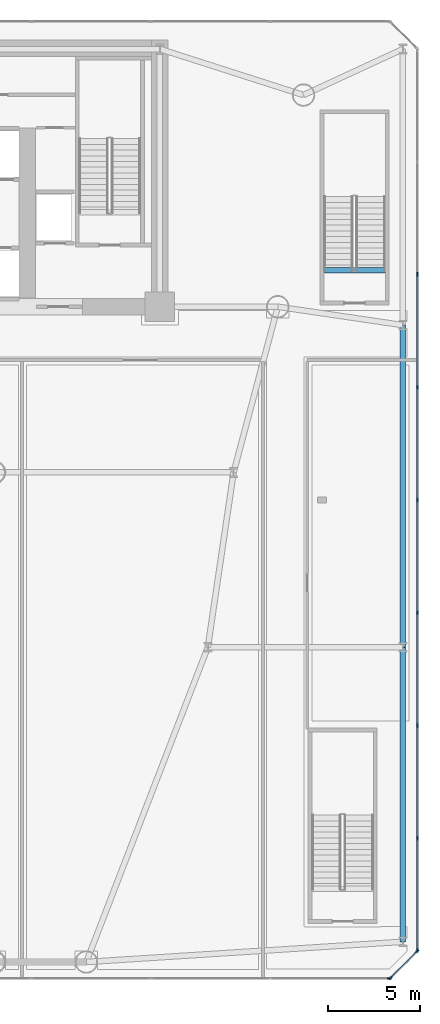
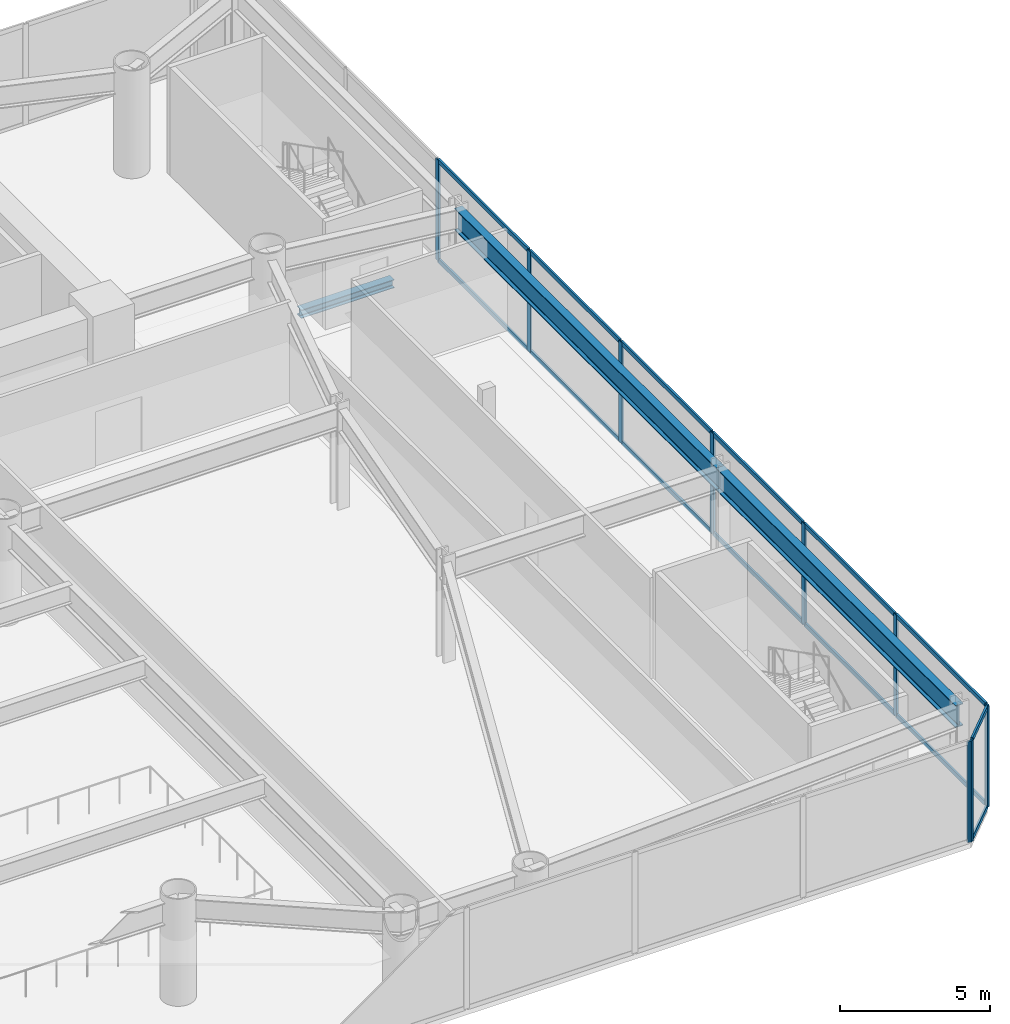
# One storey, part 10 of 24: 24 members, 3 beams, 3 elements without a shape of their own.
"""IFC4 building model written with IfcOpenShell, lengths in metres."""

import ifcopenshell
import ifcopenshell.guid

model = None  # the IFC model being written
_history = None  # IfcOwnerHistory: only IFC2X3 demands one
_inside = {}  # id of a spatial element -> (the spatial element, [elements in it])
_under = {}  # id of a project, library or spatial element -> (it, [spatial elements below it])
_declared = {}  # id of a project -> (the project, [libraries it declares])
_typed = {}  # id of a type object -> (the type object, [elements of that type])
_made_of = {}  # id of a material, layer set ... -> (it, [elements and type objects made of it])


def new_model(schema):
    """Start an empty IFC model of exactly this schema.

    Asked for "IFC4X3", IfcOpenShell would pick the latest addendum, in which some entities
    have other attributes; the version numbers below select the first issue.
    IFC2X3 requires an IfcOwnerHistory on every rooted entity: one is made here for all.
    """
    global model, _history
    if schema == "IFC4X3":
        model = ifcopenshell.file(schema_version=(4, 3, 0, 0))
    else:
        model = ifcopenshell.file(schema=schema)
    _inside.clear()
    _under.clear()
    _declared.clear()
    _typed.clear()
    _made_of.clear()
    _history = None
    if model.schema == "IFC2X3":
        org = make("IfcOrganization", Name="unknown")
        user = make(
            "IfcPersonAndOrganization",
            ThePerson=make("IfcPerson", FamilyName="unknown"),
            TheOrganization=org,
        )
        app = make(
            "IfcApplication",
            ApplicationDeveloper=org,
            Version="unknown",
            ApplicationFullName="unknown",
            ApplicationIdentifier="unknown",
        )
        _history = make(
            "IfcOwnerHistory",
            OwningUser=user,
            OwningApplication=app,
            ChangeAction="ADDED",
            CreationDate=0,
        )
    return model


def make(cls, **values):
    """One entity of the class cls with the attributes given. An attribute that is None is left unset."""
    return model.create_entity(
        cls, **{name: value for name, value in values.items() if value is not None}
    )


def rooted(cls, **values):
    """An entity with a GlobalId (a new one), such as an element, a storey or a relation."""
    return make(cls, GlobalId=ifcopenshell.guid.new(), OwnerHistory=_history, **values)


def si_unit(unit_type, name, prefix=None):
    """IfcSIUnit, for example si_unit("LENGTHUNIT", "METRE", prefix="MILLI")."""
    return make("IfcSIUnit", UnitType=unit_type, Prefix=prefix, Name=name)


def assignment(units):
    """IfcUnitAssignment: the units of a project."""
    return None if units is None else make("IfcUnitAssignment", Units=units)


def point(xyz):
    """IfcCartesianPoint."""
    return None if xyz is None else make("IfcCartesianPoint", Coordinates=xyz)


def direction(xyz):
    """IfcDirection."""
    return None if xyz is None else make("IfcDirection", DirectionRatios=xyz)


def frame(location, z_axis=None, x_axis=None):
    """IfcAxis2Placement3D, a coordinate frame: its origin and axes. An axis left out is left unset."""
    return make(
        "IfcAxis2Placement3D",
        Location=point(location),
        Axis=direction(z_axis),
        RefDirection=direction(x_axis),
    )


def frame_2d(location, x_axis=None):
    """IfcAxis2Placement2D, a coordinate frame in the plane: its origin and x axis."""
    return make(
        "IfcAxis2Placement2D", Location=point(location), RefDirection=direction(x_axis)
    )


def origin():
    """The frame at (0, 0, 0) with its axes left unset."""
    return frame((0.0, 0.0, 0.0))


def origin_2d():
    """The frame at (0, 0) in the plane with its x axis left unset."""
    return frame_2d((0.0, 0.0))


def place(relative_to, where):
    """IfcLocalPlacement: puts the frame where relative to a parent placement (None: the world)."""
    return make(
        "IfcLocalPlacement", PlacementRelTo=relative_to, RelativePlacement=where
    )


def context(
    kind, dimensions, precision=None, world=None, true_north=None, identifier=None
):
    """IfcGeometricRepresentationContext, for example the 3D "Model" context."""
    return make(
        "IfcGeometricRepresentationContext",
        ContextIdentifier=identifier,
        ContextType=kind,
        CoordinateSpaceDimension=dimensions,
        Precision=precision,
        WorldCoordinateSystem=world,
        TrueNorth=true_north,
    )


def subcontext(parent, identifier, kind, view, scale=None):
    """IfcGeometricRepresentationSubContext, for example "Body" below "Model"."""
    return make(
        "IfcGeometricRepresentationSubContext",
        ContextIdentifier=identifier,
        ContextType=kind,
        ParentContext=parent,
        TargetScale=scale,
        TargetView=view,
    )


def project(units=None, contexts=None):
    """IfcProject with its units and contexts."""
    return rooted(
        "IfcProject",
        Name="project",
        RepresentationContexts=contexts,
        UnitsInContext=assignment(units),
    )


def spatial(cls, under=None, at=None, **own):
    """A site, building, storey or space (cls), placed at a placement, below another one or the project."""
    s = rooted(cls, ObjectPlacement=at, **own)
    if under is not None:
        _under.setdefault(under.id(), (under, []))[1].append(s)
    return s


def profile(cls, at=None, kind="AREA", **sizes):
    """A parametric profile (cls). Its sizes go by their IFC names, for example OverallWidth=200.0."""
    return make(cls, ProfileType=kind, Position=at, **sizes)


def rectangle(**sizes):
    """IfcRectangleProfileDef."""
    return profile("IfcRectangleProfileDef", **sizes)


def i_section(**sizes):
    """IfcIShapeProfileDef."""
    return profile("IfcIShapeProfileDef", **sizes)


def extrude(swept, where, along, depth):
    """IfcExtrudedAreaSolid: the profile swept, set in the frame where, extruded along a direction by depth."""
    return make(
        "IfcExtrudedAreaSolid",
        SweptArea=swept,
        Position=where,
        ExtrudedDirection=direction(along),
        Depth=depth,
    )


def shape(context_of_items, identifier, shape_type, items):
    """IfcShapeRepresentation: the items that make up one representation, for example the "Body"."""
    return make(
        "IfcShapeRepresentation",
        ContextOfItems=context_of_items,
        RepresentationIdentifier=identifier,
        RepresentationType=shape_type,
        Items=items,
    )


def source(mapping_origin, context_of_items, identifier, shape_type, items):
    """IfcRepresentationMap: a shape defined once, which mapped items show again and again."""
    return make(
        "IfcRepresentationMap",
        MappingOrigin=mapping_origin,
        MappedRepresentation=shape(context_of_items, identifier, shape_type, items),
    )


def transform(
    local_origin,
    x_axis=None,
    y_axis=None,
    z_axis=None,
    scale=None,
    scale2=None,
    scale3=None,
    uniform=True,
):
    """IfcCartesianTransformationOperator3D, or its non-uniform kind. x_axis, y_axis, z_axis: its Axis1, 2, 3."""
    if uniform:
        return make(
            "IfcCartesianTransformationOperator3D",
            Axis1=direction(x_axis),
            Axis2=direction(y_axis),
            LocalOrigin=point(local_origin),
            Scale=scale,
            Axis3=direction(z_axis),
        )
    return make(
        "IfcCartesianTransformationOperator3DnonUniform",
        Axis1=direction(x_axis),
        Axis2=direction(y_axis),
        LocalOrigin=point(local_origin),
        Scale=scale,
        Axis3=direction(z_axis),
        Scale2=scale2,
        Scale3=scale3,
    )


def mapped(mapping_source, mapping_target):
    """IfcMappedItem: shows the shape of a source again, moved by a transform."""
    return make(
        "IfcMappedItem", MappingSource=mapping_source, MappingTarget=mapping_target
    )


def material(Name=None, Category=None):
    """IfcMaterial."""
    return make("IfcMaterial", Name=Name, Category=Category)


def layer(
    of_material, thickness, ventilated=None, Name=None, Category=None, Priority=None
):
    """IfcMaterialLayer: one layer of a wall or slab, of a material (None: an air gap)."""
    return make(
        "IfcMaterialLayer",
        Material=of_material,
        LayerThickness=thickness,
        IsVentilated=ventilated,
        Name=Name,
        Category=Category,
        Priority=Priority,
    )


def layer_set(layers, Name=None):
    """IfcMaterialLayerSet."""
    return make("IfcMaterialLayerSet", MaterialLayers=layers, LayerSetName=Name)


def material_profile(
    of_material, cross_section, Name=None, Category=None, Priority=None
):
    """IfcMaterialProfile: a cross section and its material."""
    return make(
        "IfcMaterialProfile",
        Name=Name,
        Material=of_material,
        Profile=cross_section,
        Priority=Priority,
        Category=Category,
    )


def profile_set(profiles, Name=None, composite=None):
    """IfcMaterialProfileSet."""
    return make(
        "IfcMaterialProfileSet",
        Name=Name,
        MaterialProfiles=profiles,
        CompositeProfile=composite,
    )


def made_of(thing, what):
    """Note that an element or type object is made of a material, layer set ...; save() writes the relation."""
    if what is not None:
        _made_of.setdefault(what.id(), (what, []))[1].append(thing)
    return thing


def type_object(cls, material=None, **own):
    """A type object (cls), such as IfcWallType, which elements share."""
    return made_of(rooted(cls, **own), material)


def element(
    cls,
    number,
    at=None,
    inside=None,
    cuts=None,
    type_object=None,
    material=None,
    context=None,
    identifier="Body",
    shape_type=None,
    held_by="IfcProductDefinitionShape",
    body=None,
    shapes=None,
    **own,
):
    """One element of the class cls, such as IfcWall. Its Tag is "e" and its number.

    at: its placement. inside: the storey or other place that contains it. cuts: it is an
    opening in that element (IfcRelVoidsElement). A single representation is given by context,
    identifier, shape_type and body (its items); several are given by shapes. held_by: the class
    of the entity that holds the representations. save() writes the other relations.
    """
    e = rooted(cls, Tag="e%d" % number, ObjectPlacement=at, **own)
    if body is not None:
        shapes = [shape(context, identifier, shape_type, body)]
    if shapes is not None:
        e.Representation = make(held_by, Representations=shapes)
    if inside is not None:
        _inside.setdefault(inside.id(), (inside, []))[1].append(e)
    if cuts is not None:
        rooted(
            "IfcRelVoidsElement", RelatingBuildingElement=cuts, RelatedOpeningElement=e
        )
    if type_object is not None:
        _typed.setdefault(type_object.id(), (type_object, []))[1].append(e)
    return made_of(e, material)


def aggregate(whole, parts):
    """IfcRelAggregates: a whole, such as a stair, and the parts it consists of."""
    return rooted("IfcRelAggregates", RelatingObject=whole, RelatedObjects=parts)


def save(model, path):
    """Write the relations noted so far, then the file.

    IfcRelAggregates (storeys below a building ...), IfcRelContainedInSpatialStructure (elements
    in a storey), IfcRelDefinesByType, IfcRelAssociatesMaterial and IfcRelDeclares: one each for
    every whole, place, type object, material and project.
    """
    for whole, parts in _under.values():
        aggregate(whole, parts)
    for where, things in _inside.values():
        rooted(
            "IfcRelContainedInSpatialStructure",
            RelatedElements=things,
            RelatingStructure=where,
        )
    for kind, things in _typed.values():
        rooted("IfcRelDefinesByType", RelatedObjects=things, RelatingType=kind)
    for what, things in _made_of.values():
        rooted("IfcRelAssociatesMaterial", RelatedObjects=things, RelatingMaterial=what)
    for by, libraries in _declared.values():
        rooted("IfcRelDeclares", RelatingContext=by, RelatedDefinitions=libraries)
    model.write(path)


model = new_model("IFC4")

# Units and contexts
model_context = context("Model", 3, precision=1e-05, world=origin(), true_north=direction((0.0, 1.0)))
body_context = subcontext(model_context, "Body", "Model", "MODEL_VIEW")
ifc_project = project(units=[si_unit("LENGTHUNIT", "METRE"), si_unit("AREAUNIT", "SQUARE_METRE"), si_unit("VOLUMEUNIT", "CUBIC_METRE"), si_unit("PLANEANGLEUNIT", "RADIAN"), si_unit("MASSUNIT", "GRAM", prefix="KILO")], contexts=[model_context])

# Site, building, storey
site_placement = place(None, origin())
site = spatial("IfcSite", under=ifc_project, at=site_placement, CompositionType="ELEMENT")
building_placement = place(site_placement, origin())
building = spatial("IfcBuilding", under=site, at=building_placement, Name="Vaeldorn Concourse Tower", CompositionType="ELEMENT")
storey_placement = place(building_placement, frame((0.0, 0.0, 5.60009765625)))
storey = spatial("IfcBuildingStorey", under=building, at=storey_placement, Name="L01", CompositionType="ELEMENT", Elevation=5.60009765625)

# Beams
ifc_material_1 = material(Name="Steel S355", Category="steel")
ifc_material_profile_1 = material_profile(ifc_material_1, i_section(OverallWidth=0.300048828125, OverallDepth=0.340087890625, WebThickness=0.011962890625, FlangeThickness=0.021484375, FilletRadius=0.027099609375, at=origin_2d()), Name="HEB 340")
ifc_profile_set_1 = profile_set([ifc_material_profile_1], Name="Steel S355")
beam_type_1 = type_object("IfcBeamType", Name="BM-ST-TRIM", PredefinedType="BEAM", material=ifc_profile_set_1)
shared_shape_1 = source(origin(), body_context, "Body", "SweptSolid", [
    extrude(i_section(OverallWidth=0.300048828125, OverallDepth=0.340087890625, WebThickness=0.011962890625, FlangeThickness=0.021484375, FilletRadius=0.027099609375, at=origin_2d()), origin(), (0.0, 0.0, 1.0), 3.590087890625),
])
beam_1_placement = place(storey_placement, frame((62.780029296875, 38.489990234375, -0.4501953125), z_axis=(1.0, 0.0, 0.0), x_axis=(0.0, 1.0, 0.0)))
element("IfcBeam", 1, at=beam_1_placement, inside=storey, type_object=beam_type_1, Name="Stair Landing Trimmer Beam ST-4 L01", PredefinedType="BEAM", context=body_context, shape_type="MappedRepresentation", body=[
    mapped(shared_shape_1, transform((0.0, 0.0, 0.0), scale=1.0)),
])
ifc_material_profile_2 = material_profile(ifc_material_1, i_section(OverallWidth=0.302001953125, OverallDepth=0.909912109375, WebThickness=0.02099609375, FlangeThickness=0.0400390625, FilletRadius=0.030029296875, at=origin_2d()), Name="HEM 900")
ifc_profile_set_2 = profile_set([ifc_material_profile_2], Name="Steel S355")
beam_type_2 = type_object("IfcBeamType", Name="BM-PG-HEM900", PredefinedType="BEAM", material=ifc_profile_set_2)
shared_shape_2 = source(origin(), body_context, "Body", "SweptSolid", [
    extrude(i_section(OverallWidth=0.302001953125, OverallDepth=0.909912109375, WebThickness=0.02099609375, FlangeThickness=0.0400390625, FilletRadius=0.030029296875, at=origin_2d()), origin(), (0.0, 0.0, 1.0), 16.0),
])
beam_2_placement = place(storey_placement, frame((67.199951171875, 2.0, 3.664794921875), z_axis=(0.0, 1.0, 0.0), x_axis=(-1.0, 0.0, 0.0)))
element("IfcBeam", 2, at=beam_2_placement, inside=storey, type_object=beam_type_2, Name="Beam BM-L01-C-PE1-C-PE2", PredefinedType="BEAM", context=body_context, shape_type="MappedRepresentation", body=[
    mapped(shared_shape_2, transform((0.0, 0.0, 0.0), scale=1.0)),
])
shared_shape_3 = source(origin(), body_context, "Body", "SweptSolid", [
    extrude(i_section(OverallWidth=0.302001953125, OverallDepth=0.909912109375, WebThickness=0.02099609375, FlangeThickness=0.0400390625, FilletRadius=0.030029296875, at=origin_2d()), origin(), (0.0, 0.0, 1.0), 17.5),
])
beam_3_placement = place(storey_placement, frame((67.199951171875, 18.0, 3.664794921875), z_axis=(0.0, 1.0, 0.0), x_axis=(-1.0, 0.0, 0.0)))
element("IfcBeam", 3, at=beam_3_placement, inside=storey, type_object=beam_type_2, Name="Beam BM-L01-C-PE2-C-PE3", PredefinedType="BEAM", context=body_context, shape_type="MappedRepresentation", body=[
    mapped(shared_shape_3, transform((0.0, 0.0, 0.0), scale=1.0)),
])

# Curtain wall, member
ifc_material_2 = material(Name="Anodised Bronze Aluminium", Category="aluminium")
ifc_layer = layer(ifc_material_2, 0.239990234375)
ifc_layer_set = layer_set([ifc_layer], Name="Anodised Bronze Aluminium")
curtain_wall_type = type_object("IfcCurtainWallType", Name="CW-SYS-04", PredefinedType="NOTDEFINED", material=ifc_layer_set)
curtain_wall_1_placement = place(storey_placement, origin())
curtain_wall_1 = element("IfcCurtainWall", 4, at=curtain_wall_1_placement, inside=storey, type_object=curtain_wall_type, Name="Unitised Curtain Wall CW-L01-E01-1", PredefinedType="NOTDEFINED")
ifc_material_profile_3 = material_profile(ifc_material_2, rectangle(XDim=0.074951171875, YDim=0.219970703125, at=origin_2d()), Name="CWM 75x220")
ifc_profile_set_3 = profile_set([ifc_material_profile_3], Name="Anodised Bronze Aluminium")
member_type_1 = type_object("IfcMemberType", Name="CWM-BRONZE-220", PredefinedType="MULLION", material=ifc_profile_set_3)
shared_shape_4 = source(origin(), body_context, "Body", "SweptSolid", [
    extrude(rectangle(XDim=0.074951171875, YDim=0.219970703125, at=origin_2d()), origin(), (0.0, 0.0, 1.0), 4.119873046875),
])
member_1_placement = place(storey_placement, frame((66.46240234375, 0.0, 0.0), z_axis=(0.0, 0.0, 1.0), x_axis=(0.0, 1.0, 0.0)))
member_1 = element("IfcMember", 5, at=member_1_placement, type_object=member_type_1, Name="CW-04 mullion 11", PredefinedType="MULLION", context=body_context, shape_type="MappedRepresentation", body=[
    mapped(shared_shape_4, transform((0.0, 0.0, 0.0), scale=1.0)),
])
aggregate(curtain_wall_1, [member_1])

# Curtain wall, members
curtain_wall_2_placement = place(storey_placement, origin())
curtain_wall_2 = element("IfcCurtainWall", 6, at=curtain_wall_2_placement, inside=storey, type_object=curtain_wall_type, Name="Unitised Curtain Wall CW-L01-E02-1", PredefinedType="NOTDEFINED")
member_2_placement = place(storey_placement, frame((66.526611328125, 0.026611328125, 0.0), z_axis=(0.0, 0.0, 1.0), x_axis=(-0.707106781187, 0.707106781187, 0.0)))
member_2 = element("IfcMember", 7, at=member_2_placement, type_object=member_type_1, Name="CW-04 mullion 1", PredefinedType="MULLION", context=body_context, shape_type="MappedRepresentation", body=[
    mapped(shared_shape_4, transform((0.0, 0.0, 0.0), scale=1.0)),
])
member_3_placement = place(storey_placement, frame((67.973388671875, 1.473388671875, 0.0), z_axis=(0.0, 0.0, 1.0), x_axis=(-0.707106781187, 0.707106781187, 0.0)))
member_3 = element("IfcMember", 8, at=member_3_placement, type_object=member_type_1, Name="CW-04 mullion 2", PredefinedType="MULLION", context=body_context, shape_type="MappedRepresentation", body=[
    mapped(shared_shape_4, transform((0.0, 0.0, 0.0), scale=1.0)),
])

curtain_wall_3_placement = place(storey_placement, origin())
curtain_wall_3 = element("IfcCurtainWall", 9, at=curtain_wall_3_placement, inside=storey, type_object=curtain_wall_type, Name="Unitised Curtain Wall CW-L01-E03-1", PredefinedType="NOTDEFINED")
member_4_placement = place(storey_placement, frame((68.0, 1.53759765625, 0.0), z_axis=(0.0, 0.0, 1.0), x_axis=(-1.0, 0.0, 0.0)))
member_4 = element("IfcMember", 10, at=member_4_placement, type_object=member_type_1, Name="CW-04 mullion 1", PredefinedType="MULLION", context=body_context, shape_type="MappedRepresentation", body=[
    mapped(shared_shape_4, transform((0.0, 0.0, 0.0), scale=1.0)),
])
member_5_placement = place(storey_placement, frame((68.0, 7.625, 0.0), z_axis=(0.0, 0.0, 1.0), x_axis=(-1.0, 0.0, 0.0)))
member_5 = element("IfcMember", 11, at=member_5_placement, type_object=member_type_1, Name="CW-04 mullion 2", PredefinedType="MULLION", context=body_context, shape_type="MappedRepresentation", body=[
    mapped(shared_shape_4, transform((0.0, 0.0, 0.0), scale=1.0)),
])
member_6_placement = place(storey_placement, frame((68.0, 13.75, 0.0), z_axis=(0.0, 0.0, 1.0), x_axis=(-1.0, 0.0, 0.0)))
member_6 = element("IfcMember", 12, at=member_6_placement, type_object=member_type_1, Name="CW-04 mullion 3", PredefinedType="MULLION", context=body_context, shape_type="MappedRepresentation", body=[
    mapped(shared_shape_4, transform((0.0, 0.0, 0.0), scale=1.0)),
])
member_7_placement = place(storey_placement, frame((68.0, 19.875, 0.0), z_axis=(0.0, 0.0, 1.0), x_axis=(-1.0, 0.0, 0.0)))
member_7 = element("IfcMember", 13, at=member_7_placement, type_object=member_type_1, Name="CW-04 mullion 4", PredefinedType="MULLION", context=body_context, shape_type="MappedRepresentation", body=[
    mapped(shared_shape_4, transform((0.0, 0.0, 0.0), scale=1.0)),
])
member_8_placement = place(storey_placement, frame((68.0, 26.0, 0.0), z_axis=(0.0, 0.0, 1.0), x_axis=(-1.0, 0.0, 0.0)))
member_8 = element("IfcMember", 14, at=member_8_placement, type_object=member_type_1, Name="CW-04 mullion 5", PredefinedType="MULLION", context=body_context, shape_type="MappedRepresentation", body=[
    mapped(shared_shape_4, transform((0.0, 0.0, 0.0), scale=1.0)),
])
member_9_placement = place(storey_placement, frame((68.0, 32.125, 0.0), z_axis=(0.0, 0.0, 1.0), x_axis=(-1.0, 0.0, 0.0)))
member_9 = element("IfcMember", 15, at=member_9_placement, type_object=member_type_1, Name="CW-04 mullion 6", PredefinedType="MULLION", context=body_context, shape_type="MappedRepresentation", body=[
    mapped(shared_shape_4, transform((0.0, 0.0, 0.0), scale=1.0)),
])
member_10_placement = place(storey_placement, frame((68.0, 38.25, 0.0), z_axis=(0.0, 0.0, 1.0), x_axis=(-1.0, 0.0, 0.0)))
member_10 = element("IfcMember", 16, at=member_10_placement, type_object=member_type_1, Name="CW-04 mullion 7", PredefinedType="MULLION", context=body_context, shape_type="MappedRepresentation", body=[
    mapped(shared_shape_4, transform((0.0, 0.0, 0.0), scale=1.0)),
])

# Member
ifc_material_profile_4 = material_profile(ifc_material_2, rectangle(XDim=0.074951171875, YDim=0.179931640625, at=origin_2d()), Name="CWT 75x180")
ifc_profile_set_4 = profile_set([ifc_material_profile_4], Name="Anodised Bronze Aluminium")
member_type_2 = type_object("IfcMemberType", Name="CWT-BRONZE-180", PredefinedType="USERDEFINED", material=ifc_profile_set_4)
shared_shape_5 = source(origin(), body_context, "Body", "SweptSolid", [
    extrude(rectangle(XDim=0.074951171875, YDim=0.179931640625, at=origin_2d()), origin(), (0.0, 0.0, 1.0), 1.971435546875),
])
member_11_placement = place(storey_placement, frame((66.552978515625, 0.052978515625, 0.037353515625), z_axis=(0.707106781187, 0.707106781187, 0.0), x_axis=(-0.707106781187, 0.707106781187, 0.0)))
member_11 = element("IfcMember", 17, at=member_11_placement, type_object=member_type_2, Name="CW-04 transom 1.1", ObjectType="TRANSOM", PredefinedType="USERDEFINED", context=body_context, shape_type="MappedRepresentation", body=[
    mapped(shared_shape_5, transform((0.0, 0.0, 0.0), scale=1.0)),
])

member_12_placement = place(storey_placement, frame((66.552978515625, 0.052978515625, 4.08251953125), z_axis=(0.707106781187, 0.707106781187, 0.0), x_axis=(-0.707106781187, 0.707106781187, 0.0)))
member_12 = element("IfcMember", 18, at=member_12_placement, type_object=member_type_2, Name="CW-04 transom 1.2", ObjectType="TRANSOM", PredefinedType="USERDEFINED", context=body_context, shape_type="MappedRepresentation", body=[
    mapped(shared_shape_5, transform((0.0, 0.0, 0.0), scale=1.0)),
])

aggregate(curtain_wall_2, [member_2, member_3, member_11, member_12])

shared_shape_6 = source(origin(), body_context, "Body", "SweptSolid", [
    extrude(rectangle(XDim=0.074951171875, YDim=0.179931640625, at=origin_2d()), origin(), (0.0, 0.0, 1.0), 6.012451171875),
])
member_13_placement = place(storey_placement, frame((68.0, 1.574951171875, 0.037353515625), z_axis=(0.0, 1.0, 0.0), x_axis=(-1.0, 0.0, 0.0)))
member_13 = element("IfcMember", 19, at=member_13_placement, type_object=member_type_2, Name="CW-04 transom 1.1", ObjectType="TRANSOM", PredefinedType="USERDEFINED", context=body_context, shape_type="MappedRepresentation", body=[
    mapped(shared_shape_6, transform((0.0, 0.0, 0.0), scale=1.0)),
])

member_14_placement = place(storey_placement, frame((68.0, 1.574951171875, 4.08251953125), z_axis=(0.0, 1.0, 0.0), x_axis=(-1.0, 0.0, 0.0)))
member_14 = element("IfcMember", 20, at=member_14_placement, type_object=member_type_2, Name="CW-04 transom 1.2", ObjectType="TRANSOM", PredefinedType="USERDEFINED", context=body_context, shape_type="MappedRepresentation", body=[
    mapped(shared_shape_6, transform((0.0, 0.0, 0.0), scale=1.0)),
])

shared_shape_7 = source(origin(), body_context, "Body", "SweptSolid", [
    extrude(rectangle(XDim=0.074951171875, YDim=0.179931640625, at=origin_2d()), origin(), (0.0, 0.0, 1.0), 6.0498046875),
])
member_15_placement = place(storey_placement, frame((68.0, 7.66259765625, 0.037353515625), z_axis=(0.0, 1.0, 0.0), x_axis=(-1.0, 0.0, 0.0)))
member_15 = element("IfcMember", 21, at=member_15_placement, type_object=member_type_2, Name="CW-04 transom 2.1", ObjectType="TRANSOM", PredefinedType="USERDEFINED", context=body_context, shape_type="MappedRepresentation", body=[
    mapped(shared_shape_7, transform((0.0, 0.0, 0.0), scale=1.0)),
])

member_16_placement = place(storey_placement, frame((68.0, 7.66259765625, 4.08251953125), z_axis=(0.0, 1.0, 0.0), x_axis=(-1.0, 0.0, 0.0)))
member_16 = element("IfcMember", 22, at=member_16_placement, type_object=member_type_2, Name="CW-04 transom 2.2", ObjectType="TRANSOM", PredefinedType="USERDEFINED", context=body_context, shape_type="MappedRepresentation", body=[
    mapped(shared_shape_7, transform((0.0, 0.0, 0.0), scale=1.0)),
])

member_17_placement = place(storey_placement, frame((68.0, 13.78759765625, 0.037353515625), z_axis=(0.0, 1.0, 0.0), x_axis=(-1.0, 0.0, 0.0)))
member_17 = element("IfcMember", 23, at=member_17_placement, type_object=member_type_2, Name="CW-04 transom 3.1", ObjectType="TRANSOM", PredefinedType="USERDEFINED", context=body_context, shape_type="MappedRepresentation", body=[
    mapped(shared_shape_7, transform((0.0, 0.0, 0.0), scale=1.0)),
])

member_18_placement = place(storey_placement, frame((68.0, 13.78759765625, 4.08251953125), z_axis=(0.0, 1.0, 0.0), x_axis=(-1.0, 0.0, 0.0)))
member_18 = element("IfcMember", 24, at=member_18_placement, type_object=member_type_2, Name="CW-04 transom 3.2", ObjectType="TRANSOM", PredefinedType="USERDEFINED", context=body_context, shape_type="MappedRepresentation", body=[
    mapped(shared_shape_7, transform((0.0, 0.0, 0.0), scale=1.0)),
])

member_19_placement = place(storey_placement, frame((68.0, 19.91259765625, 0.037353515625), z_axis=(0.0, 1.0, 0.0), x_axis=(-1.0, 0.0, 0.0)))
member_19 = element("IfcMember", 25, at=member_19_placement, type_object=member_type_2, Name="CW-04 transom 4.1", ObjectType="TRANSOM", PredefinedType="USERDEFINED", context=body_context, shape_type="MappedRepresentation", body=[
    mapped(shared_shape_7, transform((0.0, 0.0, 0.0), scale=1.0)),
])

member_20_placement = place(storey_placement, frame((68.0, 19.91259765625, 4.08251953125), z_axis=(0.0, 1.0, 0.0), x_axis=(-1.0, 0.0, 0.0)))
member_20 = element("IfcMember", 26, at=member_20_placement, type_object=member_type_2, Name="CW-04 transom 4.2", ObjectType="TRANSOM", PredefinedType="USERDEFINED", context=body_context, shape_type="MappedRepresentation", body=[
    mapped(shared_shape_7, transform((0.0, 0.0, 0.0), scale=1.0)),
])

member_21_placement = place(storey_placement, frame((68.0, 26.03759765625, 0.037353515625), z_axis=(0.0, 1.0, 0.0), x_axis=(-1.0, 0.0, 0.0)))
member_21 = element("IfcMember", 27, at=member_21_placement, type_object=member_type_2, Name="CW-04 transom 5.1", ObjectType="TRANSOM", PredefinedType="USERDEFINED", context=body_context, shape_type="MappedRepresentation", body=[
    mapped(shared_shape_7, transform((0.0, 0.0, 0.0), scale=1.0)),
])

member_22_placement = place(storey_placement, frame((68.0, 26.03759765625, 4.08251953125), z_axis=(0.0, 1.0, 0.0), x_axis=(-1.0, 0.0, 0.0)))
member_22 = element("IfcMember", 28, at=member_22_placement, type_object=member_type_2, Name="CW-04 transom 5.2", ObjectType="TRANSOM", PredefinedType="USERDEFINED", context=body_context, shape_type="MappedRepresentation", body=[
    mapped(shared_shape_7, transform((0.0, 0.0, 0.0), scale=1.0)),
])

member_23_placement = place(storey_placement, frame((68.0, 32.16259765625, 0.037353515625), z_axis=(0.0, 1.0, 0.0), x_axis=(-1.0, 0.0, 0.0)))
member_23 = element("IfcMember", 29, at=member_23_placement, type_object=member_type_2, Name="CW-04 transom 6.1", ObjectType="TRANSOM", PredefinedType="USERDEFINED", context=body_context, shape_type="MappedRepresentation", body=[
    mapped(shared_shape_7, transform((0.0, 0.0, 0.0), scale=1.0)),
])

member_24_placement = place(storey_placement, frame((68.0, 32.16259765625, 4.08251953125), z_axis=(0.0, 1.0, 0.0), x_axis=(-1.0, 0.0, 0.0)))
member_24 = element("IfcMember", 30, at=member_24_placement, type_object=member_type_2, Name="CW-04 transom 6.2", ObjectType="TRANSOM", PredefinedType="USERDEFINED", context=body_context, shape_type="MappedRepresentation", body=[
    mapped(shared_shape_7, transform((0.0, 0.0, 0.0), scale=1.0)),
])

aggregate(curtain_wall_3, [member_4, member_5, member_6, member_7, member_8, member_9, member_10, member_13, member_14, member_15, member_16, member_17, member_18, member_19, member_20, member_21, member_22, member_23, member_24])

save(model, "model.ifc")
